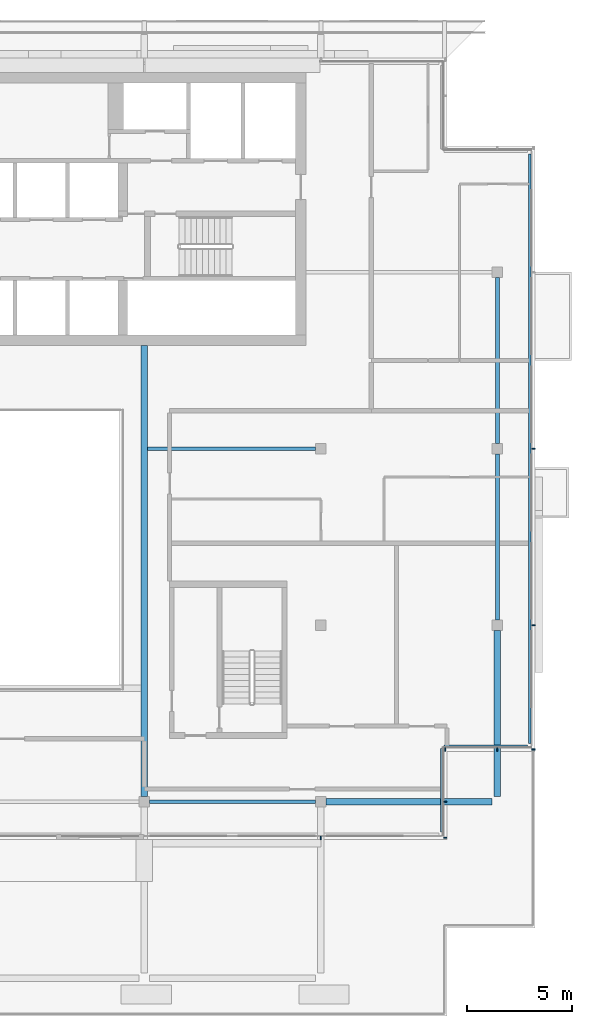
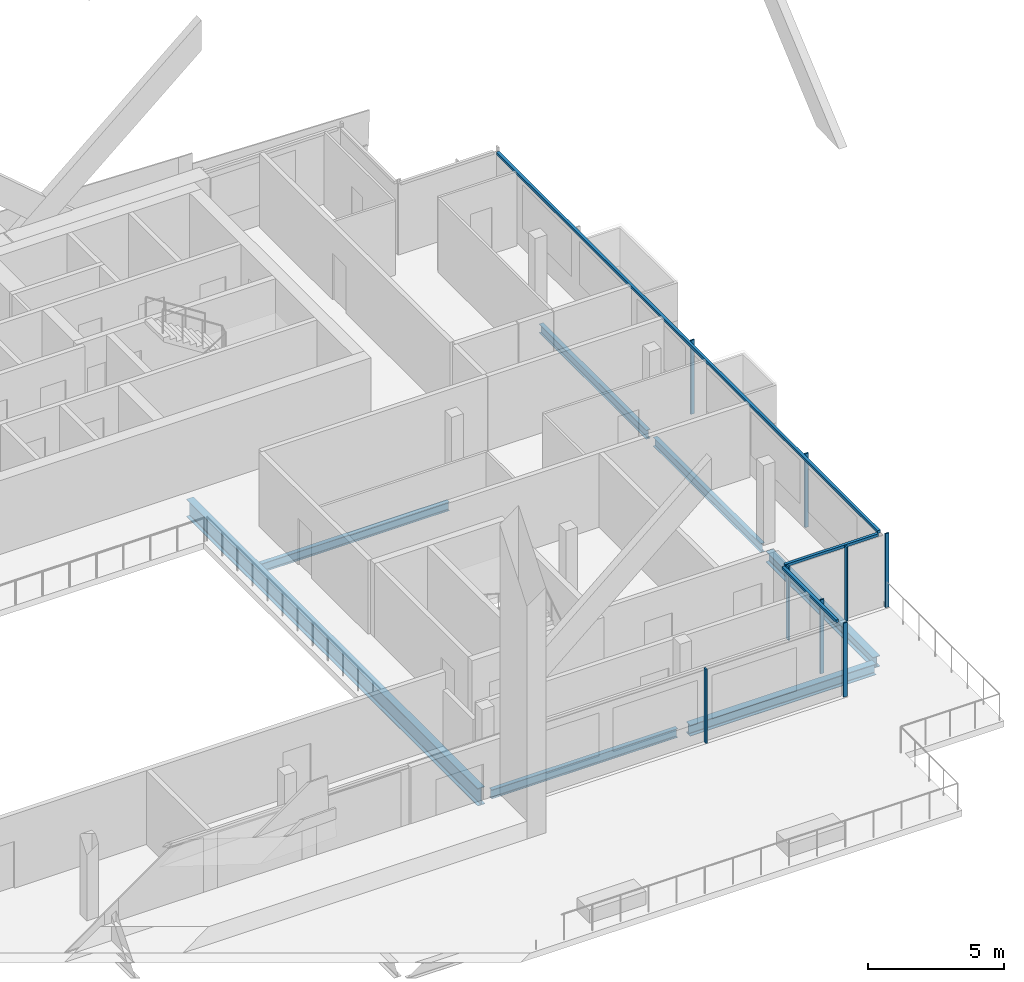
# One storey, part 5 of 22: 11 members, 7 beams, 4 elements without a shape of their own.
"""IFC4 building model written with IfcOpenShell, lengths in metres."""

from ifc_helpers import new_model, si_unit, direction, frame, origin, origin_2d, place, context, subcontext, project, spatial, rectangle, i_section, extrude, material, material_profile, profile_set, type_object, element, aggregate, save


model = new_model("IFC4")

# Units and contexts
model_context = context("Model", 3, precision=1e-05, world=origin(), true_north=direction((0.0, 1.0)))
body_context = subcontext(model_context, "Body", "Model", "MODEL_VIEW")
ifc_project = project(units=[si_unit("LENGTHUNIT", "METRE"), si_unit("AREAUNIT", "SQUARE_METRE"), si_unit("VOLUMEUNIT", "CUBIC_METRE"), si_unit("PLANEANGLEUNIT", "RADIAN"), si_unit("MASSUNIT", "GRAM", prefix="KILO")], contexts=[model_context])

# Site, building, storey
site_placement = place(None, origin())
site = spatial("IfcSite", under=ifc_project, at=site_placement, CompositionType="ELEMENT")
building_placement = place(site_placement, origin())
building = spatial("IfcBuilding", under=site, at=building_placement, Name="Saffron Gate Tower", CompositionType="ELEMENT")
storey_placement = place(building_placement, frame((0.0, 0.0, 285.14990234375)))
storey = spatial("IfcBuildingStorey", under=building, at=storey_placement, Name="L69", CompositionType="ELEMENT", Elevation=285.14990234375)

# Beams
ifc_material_1 = material(Name="Structural steel S355", Category="steel")
ifc_material_profile_1 = material_profile(ifc_material_1, i_section(OverallWidth=0.300048828125, OverallDepth=0.7900390625, WebThickness=0.014892578125, FlangeThickness=0.028076171875, FilletRadius=0.030029296875, at=origin_2d()))
ifc_profile_set_1 = profile_set([ifc_material_profile_1], Name="Structural steel S355")
beam_type_1 = type_object("IfcBeamType", Name="B18 HEA 800", PredefinedType="BEAM", material=ifc_profile_set_1)
beam_1_placement = place(storey_placement, frame((100.199951171875, 40.449951171875, -0.6748046875), z_axis=(0.0, 1.0, 0.0), x_axis=(-1.0, 0.0, 0.0)))
element("IfcBeam", 1, at=beam_1_placement, inside=storey, type_object=beam_type_1, Name="B18 ATRIUM GIRDER", PredefinedType="BEAM", context=body_context, shape_type="SweptSolid", body=[
    extrude(i_section(OverallWidth=0.300048828125, OverallDepth=0.7900390625, WebThickness=0.014892578125, FlangeThickness=0.028076171875, FilletRadius=0.030029296875, at=origin_2d()), origin(), (0.0, 0.0, 1.0), 21.449951171875),
])
ifc_material_profile_2 = material_profile(ifc_material_1, i_section(OverallWidth=0.179931640625, OverallDepth=0.39990234375, WebThickness=0.008544921875, FlangeThickness=0.013427734375, FilletRadius=0.02099609375, at=origin_2d()))
ifc_profile_set_2 = profile_set([ifc_material_profile_2], Name="Structural steel S355")
beam_type_2 = type_object("IfcBeamType", Name="B4 IPE 400", PredefinedType="BEAM", material=ifc_profile_set_2)
beam_2_placement = place(storey_placement, frame((108.35009765625, 57.0, -0.47998046875), z_axis=(-1.0, 0.0, 0.0), x_axis=(0.0, -1.0, 0.0)))
element("IfcBeam", 2, at=beam_2_placement, inside=storey, type_object=beam_type_2, Name="B4 CORE TIE BEAM", PredefinedType="BEAM", context=body_context, shape_type="SweptSolid", body=[
    extrude(i_section(OverallWidth=0.179931640625, OverallDepth=0.39990234375, WebThickness=0.008544921875, FlangeThickness=0.013427734375, FilletRadius=0.02099609375, at=origin_2d()), origin(), (0.0, 0.0, 1.0), 8.0),
])
ifc_material_profile_3 = material_profile(ifc_material_1, i_section(OverallWidth=0.179931640625, OverallDepth=0.39990234375, WebThickness=0.008544921875, FlangeThickness=0.013427734375, FilletRadius=0.02099609375, at=origin_2d()))
ifc_profile_set_3 = profile_set([ifc_material_profile_3], Name="Structural steel S355")
beam_type_3 = type_object("IfcBeamType", Name="B5 IPE 400", PredefinedType="SPANDREL", material=ifc_profile_set_3)
beam_3_placement = place(storey_placement, frame((100.449951171875, 40.199951171875, -0.47998046875), z_axis=(1.0, 0.0, 0.0), x_axis=(0.0, 1.0, 0.0)))
element("IfcBeam", 3, at=beam_3_placement, inside=storey, type_object=beam_type_3, Name="B5 SPANDREL BEAM", PredefinedType="SPANDREL", context=body_context, shape_type="SweptSolid", body=[
    extrude(i_section(OverallWidth=0.179931640625, OverallDepth=0.39990234375, WebThickness=0.008544921875, FlangeThickness=0.013427734375, FilletRadius=0.02099609375, at=origin_2d()), origin(), (0.0, 0.0, 1.0), 7.900146484375),
])
for number, where, z_axis, x_axis, name in (
    (4, (117.0, 48.85009765625, -0.47998046875), (0.0, 1.0, 0.0), (-1.0, 0.0, 0.0), "B5 SPANDREL BEAM"),
    (5, (117.0, 57.25, -0.47998046875), (0.0, 1.0, 0.0), (-1.0, 0.0, 0.0), "B5 SPANDREL BEAM"),
):
    element("IfcBeam", number, at=place(storey_placement, frame(where, z_axis=z_axis, x_axis=x_axis)), inside=storey, type_object=beam_type_3, Name=name, PredefinedType="SPANDREL", context=body_context, shape_type="SweptSolid", body=[
        extrude(i_section(OverallWidth=0.179931640625, OverallDepth=0.39990234375, WebThickness=0.008544921875, FlangeThickness=0.013427734375, FilletRadius=0.02099609375, at=origin_2d()), origin(), (0.0, 0.0, 1.0), 7.89990234375),
    ])
ifc_material_profile_4 = material_profile(ifc_material_1, i_section(OverallWidth=0.300048828125, OverallDepth=0.489990234375, WebThickness=0.011962890625, FlangeThickness=0.02294921875, FilletRadius=0.027099609375, at=origin_2d()))
ifc_profile_set_4 = profile_set([ifc_material_profile_4], Name="Structural steel S355")
beam_type_4 = type_object("IfcBeamType", Name="B8 HEA 500", PredefinedType="BEAM", material=ifc_profile_set_4)
beam_4_placement = place(storey_placement, frame((108.85009765625, 40.199951171875, -0.52490234375), z_axis=(1.0, 0.0, 0.0), x_axis=(0.0, 1.0, 0.0)))
element("IfcBeam", 6, at=beam_4_placement, inside=storey, type_object=beam_type_4, Name="B8 TERRACE BEAM", PredefinedType="BEAM", context=body_context, shape_type="SweptSolid", body=[
    extrude(i_section(OverallWidth=0.300048828125, OverallDepth=0.489990234375, WebThickness=0.011962890625, FlangeThickness=0.02294921875, FilletRadius=0.027099609375, at=origin_2d()), origin(), (0.0, 0.0, 1.0), 7.89990234375),
])
beam_5_placement = place(storey_placement, frame((117.0, 40.449951171875, -0.52490234375), z_axis=(0.0, 1.0, 0.0), x_axis=(-1.0, 0.0, 0.0)))
element("IfcBeam", 7, at=beam_5_placement, inside=storey, type_object=beam_type_4, Name="B8 TERRACE BEAM", PredefinedType="BEAM", context=body_context, shape_type="SweptSolid", body=[
    extrude(i_section(OverallWidth=0.300048828125, OverallDepth=0.489990234375, WebThickness=0.011962890625, FlangeThickness=0.02294921875, FilletRadius=0.027099609375, at=origin_2d()), origin(), (0.0, 0.0, 1.0), 7.900146484375),
])

# Curtain wall, member
ifc_material_2 = material(Name="Aluminium, bronze anodised", Category="aluminium")
curtain_wall_type_1 = type_object("IfcCurtainWallType", Name="CWS1 curtain wall front facade", PredefinedType="NOTDEFINED", material=ifc_material_2)
curtain_wall_1_placement = place(storey_placement, origin())
curtain_wall_1 = element("IfcCurtainWall", 8, at=curtain_wall_1_placement, inside=storey, type_object=curtain_wall_type_1, Name="CWS1 run 1", PredefinedType="NOTDEFINED")
ifc_material_profile_5 = material_profile(ifc_material_2, rectangle(XDim=0.159912109375, YDim=0.06005859375, at=origin_2d()))
ifc_profile_set_5 = profile_set([ifc_material_profile_5], Name="Aluminium, bronze anodised")
member_type_1 = type_object("IfcMemberType", Name="CWS1 mullion 60x160", PredefinedType="MULLION", material=ifc_profile_set_5)
member_1_placement = place(storey_placement, frame((108.60009765625, 38.47998046875, 0.0), z_axis=(0.0, 0.0, 1.0), x_axis=(0.0, 1.0, 0.0)))
member_1 = element("IfcMember", 9, at=member_1_placement, type_object=member_type_1, Name="CWS1 mullion 7", PredefinedType="MULLION", context=body_context, shape_type="SweptSolid", body=[
    extrude(rectangle(XDim=0.159912109375, YDim=0.06005859375, at=origin_2d()), origin(), (0.0, 0.0, 1.0), 3.320068359375),
])
aggregate(curtain_wall_1, [member_1])

# Curtain wall, members
curtain_wall_type_2 = type_object("IfcCurtainWallType", Name="CWS2 curtain wall side facades", PredefinedType="NOTDEFINED", material=ifc_material_2)
curtain_wall_2_placement = place(storey_placement, origin())
curtain_wall_2 = element("IfcCurtainWall", 10, at=curtain_wall_2_placement, inside=storey, type_object=curtain_wall_type_2, Name="CWS2 run 4", PredefinedType="NOTDEFINED")
ifc_material_profile_6 = material_profile(ifc_material_2, rectangle(XDim=0.1201171875, YDim=0.1201171875, at=origin_2d()))
ifc_profile_set_6 = profile_set([ifc_material_profile_6], Name="Aluminium, bronze anodised")
member_type_2 = type_object("IfcMemberType", Name="CWS2 head transom", PredefinedType="USERDEFINED", material=ifc_profile_set_6)
member_2_placement = place(storey_placement, frame((118.552001953125, 42.968017578125, 3.260009765625), z_axis=(0.0, 1.0, 0.0), x_axis=(-1.0, 0.0, 0.0)))
member_2 = element("IfcMember", 11, at=member_2_placement, type_object=member_type_2, Name="CWS2 head transom", ObjectType="TRANSOM", PredefinedType="USERDEFINED", context=body_context, shape_type="SweptSolid", body=[
    extrude(rectangle(XDim=0.1201171875, YDim=0.1201171875, at=origin_2d()), origin(), (0.0, 0.0, 1.0), 28.06396484375),
])
ifc_material_profile_7 = material_profile(ifc_material_2, rectangle(XDim=0.159912109375, YDim=0.06005859375, at=origin_2d()))
ifc_profile_set_7 = profile_set([ifc_material_profile_7], Name="Aluminium, bronze anodised")
member_type_3 = type_object("IfcMemberType", Name="CWS2 mullion 60x160", PredefinedType="MULLION", material=ifc_profile_set_7)
member_3_placement = place(storey_placement, frame((118.719970703125, 42.679931640625, 0.0), z_axis=(0.0, 0.0, 1.0), x_axis=(-1.0, 0.0, 0.0)))
member_3 = element("IfcMember", 12, at=member_3_placement, type_object=member_type_3, Name="CWS2 mullion 1", PredefinedType="MULLION", context=body_context, shape_type="SweptSolid", body=[
    extrude(rectangle(XDim=0.159912109375, YDim=0.06005859375, at=origin_2d()), origin(), (0.0, 0.0, 1.0), 3.320068359375),
])
member_4_placement = place(storey_placement, frame((118.719970703125, 48.60009765625, 0.0), z_axis=(0.0, 0.0, 1.0), x_axis=(-1.0, 0.0, 0.0)))
member_4 = element("IfcMember", 13, at=member_4_placement, type_object=member_type_3, Name="CWS2 mullion 2", PredefinedType="MULLION", context=body_context, shape_type="SweptSolid", body=[
    extrude(rectangle(XDim=0.159912109375, YDim=0.06005859375, at=origin_2d()), origin(), (0.0, 0.0, 1.0), 3.320068359375),
])
member_5_placement = place(storey_placement, frame((118.719970703125, 57.0, 0.0), z_axis=(0.0, 0.0, 1.0), x_axis=(-1.0, 0.0, 0.0)))
member_5 = element("IfcMember", 14, at=member_5_placement, type_object=member_type_3, Name="CWS2 mullion 3", PredefinedType="MULLION", context=body_context, shape_type="SweptSolid", body=[
    extrude(rectangle(XDim=0.159912109375, YDim=0.06005859375, at=origin_2d()), origin(), (0.0, 0.0, 1.0), 3.320068359375),
])
aggregate(curtain_wall_2, [member_3, member_4, member_5, member_2])

# Curtain wall, member
curtain_wall_type_3 = type_object("IfcCurtainWallType", Name="CWS4 curtain wall corner returns", PredefinedType="NOTDEFINED", material=ifc_material_2)
curtain_wall_3_placement = place(storey_placement, origin())
curtain_wall_3 = element("IfcCurtainWall", 15, at=curtain_wall_3_placement, inside=storey, type_object=curtain_wall_type_3, Name="CWS4 run 2", PredefinedType="NOTDEFINED")
ifc_material_profile_8 = material_profile(ifc_material_2, rectangle(XDim=0.1201171875, YDim=0.1201171875, at=origin_2d()))
ifc_profile_set_8 = profile_set([ifc_material_profile_8], Name="Aluminium, bronze anodised")
member_type_4 = type_object("IfcMemberType", Name="CWS4 head transom", PredefinedType="USERDEFINED", material=ifc_profile_set_8)
member_6_placement = place(storey_placement, frame((114.35205078125, 38.76806640625, 3.260009765625), z_axis=(0.0, 1.0, 0.0), x_axis=(-1.0, 0.0, 0.0)))
member_6 = element("IfcMember", 16, at=member_6_placement, type_object=member_type_4, Name="CWS4 head transom", ObjectType="TRANSOM", PredefinedType="USERDEFINED", context=body_context, shape_type="SweptSolid", body=[
    extrude(rectangle(XDim=0.1201171875, YDim=0.1201171875, at=origin_2d()), origin(), (0.0, 0.0, 1.0), 3.9599609375),
])

curtain_wall_4_placement = place(storey_placement, origin())
curtain_wall_4 = element("IfcCurtainWall", 17, at=curtain_wall_4_placement, inside=storey, type_object=curtain_wall_type_3, Name="CWS4 run 3", PredefinedType="NOTDEFINED")
member_7_placement = place(storey_placement, frame((114.471923828125, 42.847900390625, 3.260009765625), z_axis=(1.0, 0.0, 0.0), x_axis=(0.0, 1.0, 0.0)))
member_7 = element("IfcMember", 18, at=member_7_placement, type_object=member_type_4, Name="CWS4 head transom", ObjectType="TRANSOM", PredefinedType="USERDEFINED", context=body_context, shape_type="SweptSolid", body=[
    extrude(rectangle(XDim=0.1201171875, YDim=0.1201171875, at=origin_2d()), origin(), (0.0, 0.0, 1.0), 3.9599609375),
])

# Member
ifc_material_profile_9 = material_profile(ifc_material_2, rectangle(XDim=0.159912109375, YDim=0.06005859375, at=origin_2d()))
ifc_profile_set_9 = profile_set([ifc_material_profile_9], Name="Aluminium, bronze anodised")
member_type_5 = type_object("IfcMemberType", Name="CWS4 mullion 60x160", PredefinedType="MULLION", material=ifc_profile_set_9)
member_8_placement = place(storey_placement, frame((114.52001953125, 38.47998046875, 0.0), z_axis=(0.0, 0.0, 1.0), x_axis=(-1.0, 0.0, 0.0)))
member_8 = element("IfcMember", 19, at=member_8_placement, type_object=member_type_5, Name="CWS4 mullion 1", PredefinedType="MULLION", context=body_context, shape_type="SweptSolid", body=[
    extrude(rectangle(XDim=0.159912109375, YDim=0.06005859375, at=origin_2d()), origin(), (0.0, 0.0, 1.0), 3.320068359375),
])

member_9_placement = place(storey_placement, frame((114.52001953125, 40.199951171875, 0.0), z_axis=(0.0, 0.0, 1.0), x_axis=(-1.0, 0.0, 0.0)))
member_9 = element("IfcMember", 20, at=member_9_placement, type_object=member_type_5, Name="CWS4 mullion 2", PredefinedType="MULLION", context=body_context, shape_type="SweptSolid", body=[
    extrude(rectangle(XDim=0.159912109375, YDim=0.06005859375, at=origin_2d()), origin(), (0.0, 0.0, 1.0), 3.320068359375),
])

aggregate(curtain_wall_3, [member_8, member_9, member_6])

member_10_placement = place(storey_placement, frame((114.52001953125, 42.679931640625, 0.0), z_axis=(0.0, 0.0, 1.0), x_axis=(0.0, 1.0, 0.0)))
member_10 = element("IfcMember", 21, at=member_10_placement, type_object=member_type_5, Name="CWS4 mullion 1", PredefinedType="MULLION", context=body_context, shape_type="SweptSolid", body=[
    extrude(rectangle(XDim=0.159912109375, YDim=0.06005859375, at=origin_2d()), origin(), (0.0, 0.0, 1.0), 3.320068359375),
])

member_11_placement = place(storey_placement, frame((117.0, 42.679931640625, 0.0), z_axis=(0.0, 0.0, 1.0), x_axis=(0.0, 1.0, 0.0)))
member_11 = element("IfcMember", 22, at=member_11_placement, type_object=member_type_5, Name="CWS4 mullion 2", PredefinedType="MULLION", context=body_context, shape_type="SweptSolid", body=[
    extrude(rectangle(XDim=0.159912109375, YDim=0.06005859375, at=origin_2d()), origin(), (0.0, 0.0, 1.0), 3.320068359375),
])

aggregate(curtain_wall_4, [member_10, member_11, member_7])

save(model, "model.ifc")
